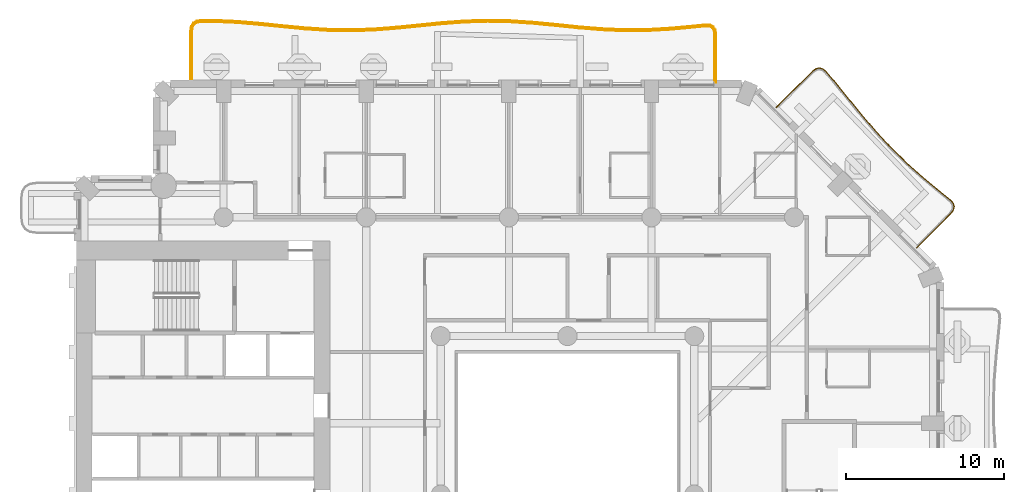
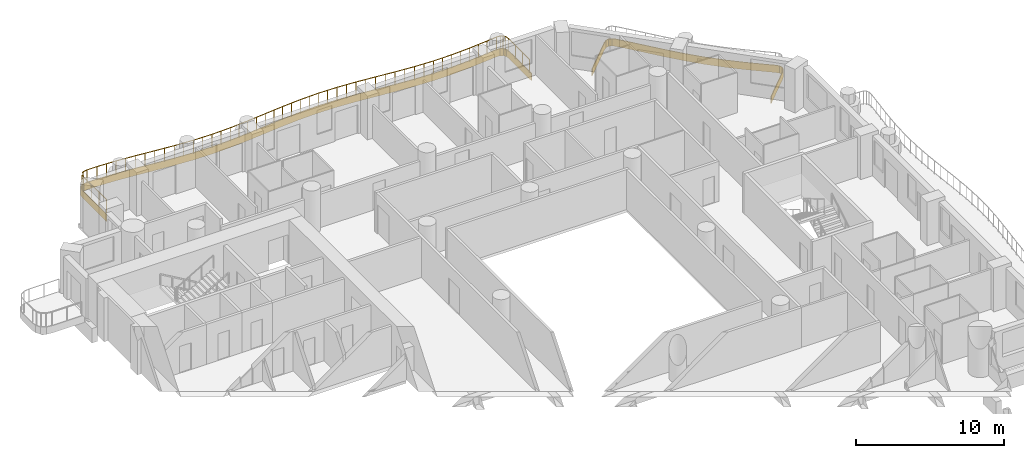
# One storey, part 18 of 20: 2 coverings, 1 railing.
"""IFC4 building model written with IfcOpenShell, lengths in metres."""

from ifc_helpers import new_model, si_unit, direction, frame, origin, origin_2d, place, context, subcontext, project, spatial, polyline, rectangle, outline, extrude, material, layer, layer_set, type_object, element, save


model = new_model("IFC4")

# Units and contexts
model_context = context("Model", 3, precision=1e-05, world=origin(), true_north=direction((0.0, 1.0)))
body_context = subcontext(model_context, "Body", "Model", "MODEL_VIEW")
ifc_project = project(units=[si_unit("LENGTHUNIT", "METRE"), si_unit("AREAUNIT", "SQUARE_METRE"), si_unit("VOLUMEUNIT", "CUBIC_METRE"), si_unit("PLANEANGLEUNIT", "RADIAN"), si_unit("MASSUNIT", "GRAM", prefix="KILO")], contexts=[model_context])

# Site, building, storey
site_placement = place(None, origin())
site = spatial("IfcSite", under=ifc_project, at=site_placement, CompositionType="ELEMENT")
building_placement = place(site_placement, origin())
building = spatial("IfcBuilding", under=site, at=building_placement, Name="Cypress Arch Tower", CompositionType="ELEMENT")
storey_placement = place(building_placement, frame((0.0, 0.0, 80.699951171875)))
storey = spatial("IfcBuildingStorey", under=building, at=storey_placement, Name="L14", CompositionType="ELEMENT", Elevation=80.699951171875)

# Coverings
ifc_material_1 = material(Name="White powder-coated aluminium fascia", Category="aluminium")
ifc_layer = layer(ifc_material_1, 0.050048828125)
ifc_layer_set = layer_set([ifc_layer], Name="Balcony fascia BF50")
covering_type = type_object("IfcCoveringType", Name="Balcony fascia BF50", PredefinedType="CLADDING", material=ifc_layer_set)
covering_1_placement = place(storey_placement, frame((0.0, 0.0, -0.599853515625)))
element("IfcCovering", 1, at=covering_1_placement, inside=storey, type_object=covering_type, Name="Balcony fascia L14-A07", PredefinedType="CLADDING", context=body_context, shape_type="SweptSolid", body=[
    extrude(outline(polyline([(16.43408203125, 26.72265625), (16.664306640625, 26.89501953125), (16.902099609375, 26.949462890625), (17.135009765625, 26.87646484375), (17.350830078125, 26.686767578125), (17.85009765625, 26.102294921875), (18.731201171875, 25.02294921875), (19.6123046875, 23.9453125), (20.51611328125, 22.89208984375), (21.460205078125, 21.879638671875), (22.452392578125, 20.915771484375), (23.489990234375, 19.99658203125), (24.559814453125, 19.1083984375), (25.1572265625, 18.623291015625), (25.35205078125, 18.412109375), (25.428955078125, 18.18212890625), (25.376220703125, 17.945556640625), (25.2041015625, 17.71533203125), (23.045166015625, 15.556396484375), (23.009765625, 15.591796875), (25.166259765625, 17.748291015625), (25.329833984375, 17.966796875), (25.376953125, 18.179443359375), (25.30810546875, 18.385986328125), (25.122802734375, 18.586669921875), (24.528076171875, 19.069580078125), (23.45751953125, 19.95849609375), (22.41845703125, 20.879150390625), (21.424560546875, 21.8447265625), (20.47900390625, 22.858642578125), (19.573974609375, 23.913330078125), (18.6923828125, 24.9912109375), (17.811767578125, 26.070068359375), (17.315185546875, 26.6513671875), (17.10986328125, 26.83203125), (16.900146484375, 26.897705078125), (16.685791015625, 26.8486328125), (16.466796875, 26.684814453125), (14.191650390625, 24.40966796875), (14.15625, 24.445068359375), (16.43408203125, 26.72265625)])), origin(), (0.0, 0.0, 1.0), 0.599853515625),
])
covering_2_placement = place(storey_placement, frame((0.0, 0.0, -0.599853515625)))
element("IfcCovering", 2, at=covering_2_placement, inside=storey, type_object=covering_type, Name="Balcony fascia L14-A08", PredefinedType="CLADDING", context=body_context, shape_type="SweptSolid", body=[
    extrude(outline(polyline([(-22.800048828125, 29.242919921875), (-22.757568359375, 29.539794921875), (-22.62451171875, 29.76220703125), (-22.403076171875, 29.896240234375), (-22.106201171875, 29.93994140625), (-21.309814453125, 29.943603515625), (-19.868408203125, 29.877685546875), (-18.427978515625, 29.755615234375), (-16.988525390625, 29.607421875), (-15.55029296875, 29.4697265625), (-14.113037109375, 29.37646484375), (-12.676513671875, 29.350830078125), (-11.23974609375, 29.399169921875), (-9.80224609375, 29.50927734375), (-8.36376953125, 29.654052734375), (-6.923828125, 29.798095703125), (-5.483154296875, 29.905517578125), (-4.04150390625, 29.94970703125), (-2.60009765625, 29.919677734375), (-1.158935546875, 29.822998046875), (0.281005859375, 29.68359375), (1.7197265625, 29.535888671875), (3.157470703125, 29.41650390625), (4.59423828125, 29.354736328125), (6.031005859375, 29.36572265625), (7.468017578125, 29.447021484375), (8.906005859375, 29.578369140625), (9.700927734375, 29.66064453125), (9.99853515625, 29.648681640625), (10.222900390625, 29.53662109375), (10.357421875, 29.324951171875), (10.39990234375, 29.0302734375), (10.39990234375, 26.0009765625), (10.35009765625, 26.0009765625), (10.35009765625, 29.026611328125), (10.3095703125, 29.30712890625), (10.18798828125, 29.498046875), (9.98583984375, 29.59912109375), (9.702392578125, 29.610595703125), (8.910888671875, 29.528564453125), (7.4716796875, 29.39697265625), (6.03271484375, 29.315673828125), (4.593505859375, 29.3046875), (3.154296875, 29.366455078125), (1.71533203125, 29.486083984375), (0.276123046875, 29.6337890625), (-1.1630859375, 29.773193359375), (-2.602294921875, 29.86962890625), (-4.041259765625, 29.899658203125), (-5.48046875, 29.85546875), (-6.919677734375, 29.748291015625), (-8.358642578125, 29.604248046875), (-9.7978515625, 29.45947265625), (-11.237060546875, 29.34912109375), (-12.676025390625, 29.301025390625), (-14.115234375, 29.32666015625), (-15.554443359375, 29.419921875), (-16.993408203125, 29.5576171875), (-18.4326171875, 29.705810546875), (-19.871826171875, 29.827880859375), (-21.310791015625, 29.893798828125), (-22.102294921875, 29.889892578125), (-22.3857421875, 29.84814453125), (-22.588134765625, 29.725830078125), (-22.70947265625, 29.522705078125), (-22.75, 29.2392578125), (-22.75, 26.0009765625), (-22.800048828125, 26.0009765625), (-22.800048828125, 29.242919921875)])), origin(), (0.0, 0.0, 1.0), 0.599853515625),
])

# Railing
ifc_material_2 = material(Name="Powder-coated steel posts and rods, 100 mm clear between rods", Category="steel")
railing_type = type_object("IfcRailingType", Name="Balcony guard GR1100", PredefinedType="GUARDRAIL", material=ifc_material_2)
railing_placement = place(storey_placement, frame((-22.699951171875, 26.14990234375, 0.0)))
element("IfcRailing", 3, at=railing_placement, inside=storey, type_object=railing_type, Name="Balcony guard L14-A08", PredefinedType="GUARDRAIL", context=body_context, shape_type="SweptSolid", body=[
    extrude(rectangle(XDim=0.050048828125, YDim=0.050048828125, at=origin_2d()), frame((0.0, 0.0, 1.0751953125), z_axis=(0.0, 1.0, 0.0), x_axis=(-1.0, 0.0, 0.0)), (0.0, 0.0, 1.0), 3.0859375),
    extrude(rectangle(XDim=0.050048828125, YDim=0.050048828125, at=origin_2d()), frame((0.0, 3.0859375, 1.0751953125), z_axis=(0.141421356237, 0.989949493661, 0.0), x_axis=(-0.989949493661, 0.141421356237, 0.0)), (0.0, 0.0, 1.0), 0.272705078125),
    extrude(rectangle(XDim=0.050048828125, YDim=0.050048828125, at=origin_2d()), frame((0.03857421875, 3.35595703125, 1.0751953125), z_axis=(0.513488560453, 0.858096438802, 0.0), x_axis=(-0.858096438802, 0.513488560453, 0.0)), (0.0, 0.0, 1.0), 0.2138671875),
    extrude(rectangle(XDim=0.050048828125, YDim=0.050048828125, at=origin_2d()), frame((0.1484375, 3.53955078125, 1.0751953125), z_axis=(0.855978679302, 0.517011122298, 0.0), x_axis=(-0.517011122298, 0.855978679302, 0.0)), (0.0, 0.0, 1.0), 0.2138671875),
    extrude(rectangle(XDim=0.050048828125, YDim=0.050048828125, at=origin_2d()), frame((0.33154296875, 3.650146484375, 1.0751953125), z_axis=(0.98929460177, 0.145932144877, 0.0), x_axis=(-0.145932144877, 0.98929460177, 0.0)), (0.0, 0.0, 1.0), 0.272705078125),
    extrude(rectangle(XDim=0.050048828125, YDim=0.050048828125, at=origin_2d()), frame((0.601318359375, 3.68994140625, 1.0751953125), z_axis=(0.999987670347, 0.004965798487, 0.0), x_axis=(-0.004965798487, 0.999987670347, 0.0)), (0.0, 0.0, 1.0), 0.78662109375),
    extrude(rectangle(XDim=0.050048828125, YDim=0.050048828125, at=origin_2d()), frame((1.387939453125, 3.69384765625, 1.0751953125), z_axis=(0.998957311977, -0.045654012389, 0.0), x_axis=(0.045654012389, 0.998957311977, 0.0)), (0.0, 0.0, 1.0), 1.4384765625),
    extrude(rectangle(XDim=0.050048828125, YDim=0.050048828125, at=origin_2d()), frame((2.824951171875, 3.628173828125, 1.0751953125), z_axis=(0.996415021106, -0.084599679157, 0.0), x_axis=(0.084599679157, 0.996415021106, 0.0)), (0.0, 0.0, 1.0), 1.44287109375),
    extrude(rectangle(XDim=0.050048828125, YDim=0.050048828125, at=origin_2d()), frame((4.2626953125, 3.506103515625, 1.0751953125), z_axis=(0.994736975583, -0.10246145328, 0.0), x_axis=(0.10246145328, 0.994736975583, 0.0)), (0.0, 0.0, 1.0), 1.4462890625),
    extrude(rectangle(XDim=0.050048828125, YDim=0.050048828125, at=origin_2d()), frame((5.701416015625, 3.35791015625, 1.0751953125), z_axis=(0.995444515606, -0.095342626092, 0.0), x_axis=(0.095342626092, 0.995444515606, 0.0)), (0.0, 0.0, 1.0), 1.44677734375),
    extrude(rectangle(XDim=0.050048828125, YDim=0.050048828125, at=origin_2d()), frame((7.1416015625, 3.219970703125, 1.0751953125), z_axis=(0.997912676628, -0.064577781208, 0.0), x_axis=(0.064577781208, 0.997912676628, 0.0)), (0.0, 0.0, 1.0), 1.444091796875),
    extrude(rectangle(XDim=0.050048828125, YDim=0.050048828125, at=origin_2d()), frame((8.582763671875, 3.126708984375, 1.0751953125), z_axis=(0.999841892345, -0.017781740972, 0.0), x_axis=(0.017781740972, 0.999841892345, 0.0)), (0.0, 0.0, 1.0), 1.441650390625),
    extrude(rectangle(XDim=0.050048828125, YDim=0.050048828125, at=origin_2d()), frame((10.024169921875, 3.10107421875, 1.0751953125), z_axis=(0.999438312765, 0.03351207213, 0.0), x_axis=(-0.03351207213, 0.999438312765, 0.0)), (0.0, 0.0, 1.0), 1.4423828125),
    extrude(rectangle(XDim=0.050048828125, YDim=0.050048828125, at=origin_2d()), frame((11.4658203125, 3.1494140625, 1.0751953125), z_axis=(0.997079281388, 0.076373468088, 0.0), x_axis=(-0.076373468088, 0.997079281388, 0.0)), (0.0, 0.0, 1.0), 1.44482421875),
    extrude(rectangle(XDim=0.050048828125, YDim=0.050048828125, at=origin_2d()), frame((12.906494140625, 3.259765625, 1.0751953125), z_axis=(0.994965097958, 0.100222022755, 0.0), x_axis=(-0.100222022755, 0.994965097958, 0.0)), (0.0, 0.0, 1.0), 1.447021484375),
    extrude(rectangle(XDim=0.050048828125, YDim=0.050048828125, at=origin_2d()), frame((14.34619140625, 3.40478515625, 1.0751953125), z_axis=(0.995040533805, 0.099470277395, 0.0), x_axis=(-0.099470277395, 0.995040533805, 0.0)), (0.0, 0.0, 1.0), 1.445556640625),
    extrude(rectangle(XDim=0.050048828125, YDim=0.050048828125, at=origin_2d()), frame((15.78466796875, 3.548583984375, 1.0751953125), z_axis=(0.997232055547, 0.074352050337, 0.0), x_axis=(-0.074352050337, 0.997232055547, 0.0)), (0.0, 0.0, 1.0), 1.44140625),
    extrude(rectangle(XDim=0.050048828125, YDim=0.050048828125, at=origin_2d()), frame((17.22216796875, 3.65576171875, 1.0751953125), z_axis=(0.99953256902, 0.030571939239, 0.0), x_axis=(-0.030571939239, 0.99953256902, 0.0)), (0.0, 0.0, 1.0), 1.4375),
    extrude(rectangle(XDim=0.050048828125, YDim=0.050048828125, at=origin_2d()), frame((18.658935546875, 3.69970703125, 1.0751953125), z_axis=(0.999785188871, -0.020726218019, 0.0), x_axis=(0.020726218019, 0.999785188871, 0.0)), (0.0, 0.0, 1.0), 1.43701171875),
    extrude(rectangle(XDim=0.050048828125, YDim=0.050048828125, at=origin_2d()), frame((20.095703125, 3.669921875, 1.0751953125), z_axis=(0.997755809066, -0.06695778875, 0.0), x_axis=(0.06695778875, 0.997755809066, 0.0)), (0.0, 0.0, 1.0), 1.440185546875),
    extrude(rectangle(XDim=0.050048828125, YDim=0.050048828125, at=origin_2d()), frame((21.53271484375, 3.573486328125, 1.0751953125), z_axis=(0.995336942788, -0.096459164007, 0.0), x_axis=(0.096459164007, 0.995336942788, 0.0)), (0.0, 0.0, 1.0), 1.4453125),
    extrude(rectangle(XDim=0.050048828125, YDim=0.050048828125, at=origin_2d()), frame((22.97119140625, 3.43408203125, 1.0751953125), z_axis=(0.994776607499, -0.102075957859, 0.0), x_axis=(0.102075957859, 0.994776607499, 0.0)), (0.0, 0.0, 1.0), 1.447021484375),
    extrude(rectangle(XDim=0.050048828125, YDim=0.050048828125, at=origin_2d()), frame((24.41064453125, 3.286376953125, 1.0751953125), z_axis=(0.99656901696, -0.082765901409, 0.0), x_axis=(0.082765901409, 0.99656901696, 0.0)), (0.0, 0.0, 1.0), 1.4453125),
    extrude(rectangle(XDim=0.050048828125, YDim=0.050048828125, at=origin_2d()), frame((25.85107421875, 3.166748046875, 1.0751953125), z_axis=(0.999075850175, -0.042981921739, 0.0), x_axis=(0.042981921739, 0.999075850175, 0.0)), (0.0, 0.0, 1.0), 1.442626953125),
    extrude(rectangle(XDim=0.050048828125, YDim=0.050048828125, at=origin_2d()), frame((27.29248046875, 3.104736328125, 1.0751953125), z_axis=(0.999969659265, 0.007789772113, 0.0), x_axis=(-0.007789772113, 0.999969659265, 0.0)), (0.0, 0.0, 1.0), 1.441650390625),
    extrude(rectangle(XDim=0.050048828125, YDim=0.050048828125, at=origin_2d()), frame((28.734130859375, 3.115966796875, 1.0751953125), z_axis=(0.998412631097, 0.056322447257, 0.0), x_axis=(-0.056322447257, 0.998412631097, 0.0)), (0.0, 0.0, 1.0), 1.443359375),
    extrude(rectangle(XDim=0.050048828125, YDim=0.050048828125, at=origin_2d()), frame((30.17529296875, 3.197265625, 1.0751953125), z_axis=(0.995852986785, 0.090977077945, 0.0), x_axis=(-0.090977077945, 0.995852986785, 0.0)), (0.0, 0.0, 1.0), 1.446533203125),
    extrude(rectangle(XDim=0.050048828125, YDim=0.050048828125, at=origin_2d()), frame((31.61572265625, 3.328857421875, 1.0751953125), z_axis=(0.994658026904, 0.103225043065, 0.0), x_axis=(-0.103225043065, 0.994658026904, 0.0)), (0.0, 0.0, 1.0), 0.792236328125),
    extrude(rectangle(XDim=0.050048828125, YDim=0.050048828125, at=origin_2d()), frame((32.40380859375, 3.41064453125, 1.0751953125), z_axis=(0.999167298929, -0.040800842515, 0.0), x_axis=(0.040800842515, 0.999167298929, 0.0)), (0.0, 0.0, 1.0), 0.269287109375),
    extrude(rectangle(XDim=0.050048828125, YDim=0.050048828125, at=origin_2d()), frame((32.6728515625, 3.399658203125, 1.0751953125), z_axis=(0.894669189592, -0.446729270581, 0.0), x_axis=(0.446729270581, 0.894669189592, 0.0)), (0.0, 0.0, 1.0), 0.20166015625),
    extrude(rectangle(XDim=0.050048828125, YDim=0.050048828125, at=origin_2d()), frame((32.853271484375, 3.3095703125, 1.0751953125), z_axis=(0.536953918941, -0.84361157468, 0.0), x_axis=(0.84361157468, 0.536953918941, 0.0)), (0.0, 0.0, 1.0), 0.201416015625),
    extrude(rectangle(XDim=0.050048828125, YDim=0.050048828125, at=origin_2d()), frame((32.96142578125, 3.1396484375, 1.0751953125), z_axis=(0.143197502639, -0.989694132163, 0.0), x_axis=(0.989694132163, 0.143197502639, 0.0)), (0.0, 0.0, 1.0), 0.269287109375),
    extrude(rectangle(XDim=0.050048828125, YDim=0.050048828125, at=origin_2d()), frame((33.0, 2.873046875, 1.0751953125), z_axis=(0.0, -1.0, 0.0), x_axis=(1.0, 0.0, 0.0)), (0.0, 0.0, 1.0), 2.873046875),
    extrude(rectangle(XDim=0.0400390625, YDim=0.0400390625, at=origin_2d()), origin(), (0.0, 0.0, 1.0), 1.050048828125),
    extrude(rectangle(XDim=0.0400390625, YDim=0.0400390625, at=origin_2d()), frame((0.0, 1.028564453125, 0.0)), (0.0, 0.0, 1.0), 1.050048828125),
    extrude(rectangle(XDim=0.0400390625, YDim=0.0400390625, at=origin_2d()), frame((0.0, 2.057373046875, 0.0)), (0.0, 0.0, 1.0), 1.050048828125),
    extrude(rectangle(XDim=0.0400390625, YDim=0.0400390625, at=origin_2d()), frame((0.0, 3.0859375, 0.0)), (0.0, 0.0, 1.0), 1.050048828125),
    extrude(rectangle(XDim=0.0400390625, YDim=0.0400390625, at=origin_2d()), frame((0.03857421875, 3.35595703125, 0.0)), (0.0, 0.0, 1.0), 1.050048828125),
    extrude(rectangle(XDim=0.0400390625, YDim=0.0400390625, at=origin_2d()), frame((0.1484375, 3.53955078125, 0.0)), (0.0, 0.0, 1.0), 1.050048828125),
    extrude(rectangle(XDim=0.0400390625, YDim=0.0400390625, at=origin_2d()), frame((0.33154296875, 3.650146484375, 0.0)), (0.0, 0.0, 1.0), 1.050048828125),
    extrude(rectangle(XDim=0.0400390625, YDim=0.0400390625, at=origin_2d()), frame((0.601318359375, 3.68994140625, 0.0)), (0.0, 0.0, 1.0), 1.050048828125),
    extrude(rectangle(XDim=0.0400390625, YDim=0.0400390625, at=origin_2d()), frame((1.387939453125, 3.69384765625, 0.0)), (0.0, 0.0, 1.0), 1.050048828125),
    extrude(rectangle(XDim=0.0400390625, YDim=0.0400390625, at=origin_2d()), frame((2.1064453125, 3.6611328125, 0.0)), (0.0, 0.0, 1.0), 1.050048828125),
    extrude(rectangle(XDim=0.0400390625, YDim=0.0400390625, at=origin_2d()), frame((2.824951171875, 3.628173828125, 0.0)), (0.0, 0.0, 1.0), 1.050048828125),
    extrude(rectangle(XDim=0.0400390625, YDim=0.0400390625, at=origin_2d()), frame((3.5439453125, 3.567138671875, 0.0)), (0.0, 0.0, 1.0), 1.050048828125),
    extrude(rectangle(XDim=0.0400390625, YDim=0.0400390625, at=origin_2d()), frame((4.2626953125, 3.506103515625, 0.0)), (0.0, 0.0, 1.0), 1.050048828125),
    extrude(rectangle(XDim=0.0400390625, YDim=0.0400390625, at=origin_2d()), frame((4.98193359375, 3.43212890625, 0.0)), (0.0, 0.0, 1.0), 1.050048828125),
    extrude(rectangle(XDim=0.0400390625, YDim=0.0400390625, at=origin_2d()), frame((5.701416015625, 3.35791015625, 0.0)), (0.0, 0.0, 1.0), 1.050048828125),
    extrude(rectangle(XDim=0.0400390625, YDim=0.0400390625, at=origin_2d()), frame((6.42138671875, 3.2890625, 0.0)), (0.0, 0.0, 1.0), 1.050048828125),
    extrude(rectangle(XDim=0.0400390625, YDim=0.0400390625, at=origin_2d()), frame((7.1416015625, 3.219970703125, 0.0)), (0.0, 0.0, 1.0), 1.050048828125),
    extrude(rectangle(XDim=0.0400390625, YDim=0.0400390625, at=origin_2d()), frame((7.8623046875, 3.17333984375, 0.0)), (0.0, 0.0, 1.0), 1.050048828125),
    extrude(rectangle(XDim=0.0400390625, YDim=0.0400390625, at=origin_2d()), frame((8.582763671875, 3.126708984375, 0.0)), (0.0, 0.0, 1.0), 1.050048828125),
    extrude(rectangle(XDim=0.0400390625, YDim=0.0400390625, at=origin_2d()), frame((9.303466796875, 3.11376953125, 0.0)), (0.0, 0.0, 1.0), 1.050048828125),
    extrude(rectangle(XDim=0.0400390625, YDim=0.0400390625, at=origin_2d()), frame((10.024169921875, 3.10107421875, 0.0)), (0.0, 0.0, 1.0), 1.050048828125),
    extrude(rectangle(XDim=0.0400390625, YDim=0.0400390625, at=origin_2d()), frame((10.7451171875, 3.125244140625, 0.0)), (0.0, 0.0, 1.0), 1.050048828125),
    extrude(rectangle(XDim=0.0400390625, YDim=0.0400390625, at=origin_2d()), frame((11.4658203125, 3.1494140625, 0.0)), (0.0, 0.0, 1.0), 1.050048828125),
    extrude(rectangle(XDim=0.0400390625, YDim=0.0400390625, at=origin_2d()), frame((12.18603515625, 3.20458984375, 0.0)), (0.0, 0.0, 1.0), 1.050048828125),
    extrude(rectangle(XDim=0.0400390625, YDim=0.0400390625, at=origin_2d()), frame((12.906494140625, 3.259765625, 0.0)), (0.0, 0.0, 1.0), 1.050048828125),
    extrude(rectangle(XDim=0.0400390625, YDim=0.0400390625, at=origin_2d()), frame((13.62646484375, 3.332275390625, 0.0)), (0.0, 0.0, 1.0), 1.050048828125),
    extrude(rectangle(XDim=0.0400390625, YDim=0.0400390625, at=origin_2d()), frame((14.34619140625, 3.40478515625, 0.0)), (0.0, 0.0, 1.0), 1.050048828125),
    extrude(rectangle(XDim=0.0400390625, YDim=0.0400390625, at=origin_2d()), frame((15.0654296875, 3.4765625, 0.0)), (0.0, 0.0, 1.0), 1.050048828125),
    extrude(rectangle(XDim=0.0400390625, YDim=0.0400390625, at=origin_2d()), frame((15.78466796875, 3.548583984375, 0.0)), (0.0, 0.0, 1.0), 1.050048828125),
    extrude(rectangle(XDim=0.0400390625, YDim=0.0400390625, at=origin_2d()), frame((16.50341796875, 3.60205078125, 0.0)), (0.0, 0.0, 1.0), 1.050048828125),
    extrude(rectangle(XDim=0.0400390625, YDim=0.0400390625, at=origin_2d()), frame((17.22216796875, 3.65576171875, 0.0)), (0.0, 0.0, 1.0), 1.050048828125),
    extrude(rectangle(XDim=0.0400390625, YDim=0.0400390625, at=origin_2d()), frame((17.9404296875, 3.677734375, 0.0)), (0.0, 0.0, 1.0), 1.050048828125),
    extrude(rectangle(XDim=0.0400390625, YDim=0.0400390625, at=origin_2d()), frame((18.658935546875, 3.69970703125, 0.0)), (0.0, 0.0, 1.0), 1.050048828125),
    extrude(rectangle(XDim=0.0400390625, YDim=0.0400390625, at=origin_2d()), frame((19.37744140625, 3.684814453125, 0.0)), (0.0, 0.0, 1.0), 1.050048828125),
    extrude(rectangle(XDim=0.0400390625, YDim=0.0400390625, at=origin_2d()), frame((20.095703125, 3.669921875, 0.0)), (0.0, 0.0, 1.0), 1.050048828125),
    extrude(rectangle(XDim=0.0400390625, YDim=0.0400390625, at=origin_2d()), frame((20.814208984375, 3.62158203125, 0.0)), (0.0, 0.0, 1.0), 1.050048828125),
    extrude(rectangle(XDim=0.0400390625, YDim=0.0400390625, at=origin_2d()), frame((21.53271484375, 3.573486328125, 0.0)), (0.0, 0.0, 1.0), 1.050048828125),
    extrude(rectangle(XDim=0.0400390625, YDim=0.0400390625, at=origin_2d()), frame((22.251953125, 3.50390625, 0.0)), (0.0, 0.0, 1.0), 1.050048828125),
    extrude(rectangle(XDim=0.0400390625, YDim=0.0400390625, at=origin_2d()), frame((22.97119140625, 3.43408203125, 0.0)), (0.0, 0.0, 1.0), 1.050048828125),
    extrude(rectangle(XDim=0.0400390625, YDim=0.0400390625, at=origin_2d()), frame((23.69091796875, 3.3603515625, 0.0)), (0.0, 0.0, 1.0), 1.050048828125),
    extrude(rectangle(XDim=0.0400390625, YDim=0.0400390625, at=origin_2d()), frame((24.41064453125, 3.286376953125, 0.0)), (0.0, 0.0, 1.0), 1.050048828125),
    extrude(rectangle(XDim=0.0400390625, YDim=0.0400390625, at=origin_2d()), frame((25.130859375, 3.2265625, 0.0)), (0.0, 0.0, 1.0), 1.050048828125),
    extrude(rectangle(XDim=0.0400390625, YDim=0.0400390625, at=origin_2d()), frame((25.85107421875, 3.166748046875, 0.0)), (0.0, 0.0, 1.0), 1.050048828125),
    extrude(rectangle(XDim=0.0400390625, YDim=0.0400390625, at=origin_2d()), frame((26.57177734375, 3.1357421875, 0.0)), (0.0, 0.0, 1.0), 1.050048828125),
    extrude(rectangle(XDim=0.0400390625, YDim=0.0400390625, at=origin_2d()), frame((27.29248046875, 3.104736328125, 0.0)), (0.0, 0.0, 1.0), 1.050048828125),
    extrude(rectangle(XDim=0.0400390625, YDim=0.0400390625, at=origin_2d()), frame((28.01318359375, 3.1103515625, 0.0)), (0.0, 0.0, 1.0), 1.050048828125),
    extrude(rectangle(XDim=0.0400390625, YDim=0.0400390625, at=origin_2d()), frame((28.734130859375, 3.115966796875, 0.0)), (0.0, 0.0, 1.0), 1.050048828125),
    extrude(rectangle(XDim=0.0400390625, YDim=0.0400390625, at=origin_2d()), frame((29.45458984375, 3.15673828125, 0.0)), (0.0, 0.0, 1.0), 1.050048828125),
    extrude(rectangle(XDim=0.0400390625, YDim=0.0400390625, at=origin_2d()), frame((30.17529296875, 3.197265625, 0.0)), (0.0, 0.0, 1.0), 1.050048828125),
    extrude(rectangle(XDim=0.0400390625, YDim=0.0400390625, at=origin_2d()), frame((30.8955078125, 3.26318359375, 0.0)), (0.0, 0.0, 1.0), 1.050048828125),
    extrude(rectangle(XDim=0.0400390625, YDim=0.0400390625, at=origin_2d()), frame((31.61572265625, 3.328857421875, 0.0)), (0.0, 0.0, 1.0), 1.050048828125),
    extrude(rectangle(XDim=0.0400390625, YDim=0.0400390625, at=origin_2d()), frame((32.40380859375, 3.41064453125, 0.0)), (0.0, 0.0, 1.0), 1.050048828125),
    extrude(rectangle(XDim=0.0400390625, YDim=0.0400390625, at=origin_2d()), frame((32.6728515625, 3.399658203125, 0.0)), (0.0, 0.0, 1.0), 1.050048828125),
    extrude(rectangle(XDim=0.0400390625, YDim=0.0400390625, at=origin_2d()), frame((32.853271484375, 3.3095703125, 0.0)), (0.0, 0.0, 1.0), 1.050048828125),
    extrude(rectangle(XDim=0.0400390625, YDim=0.0400390625, at=origin_2d()), frame((32.96142578125, 3.1396484375, 0.0)), (0.0, 0.0, 1.0), 1.050048828125),
    extrude(rectangle(XDim=0.0400390625, YDim=0.0400390625, at=origin_2d()), frame((33.0, 2.873046875, 0.0)), (0.0, 0.0, 1.0), 1.050048828125),
    extrude(rectangle(XDim=0.0400390625, YDim=0.0400390625, at=origin_2d()), frame((33.0, 1.915283203125, 0.0)), (0.0, 0.0, 1.0), 1.050048828125),
    extrude(rectangle(XDim=0.0400390625, YDim=0.0400390625, at=origin_2d()), frame((33.0, 0.957763671875, 0.0)), (0.0, 0.0, 1.0), 1.050048828125),
    extrude(rectangle(XDim=0.0400390625, YDim=0.0400390625, at=origin_2d()), frame((33.0, 0.0, 0.0)), (0.0, 0.0, 1.0), 1.050048828125),
])

save(model, "model.ifc")
